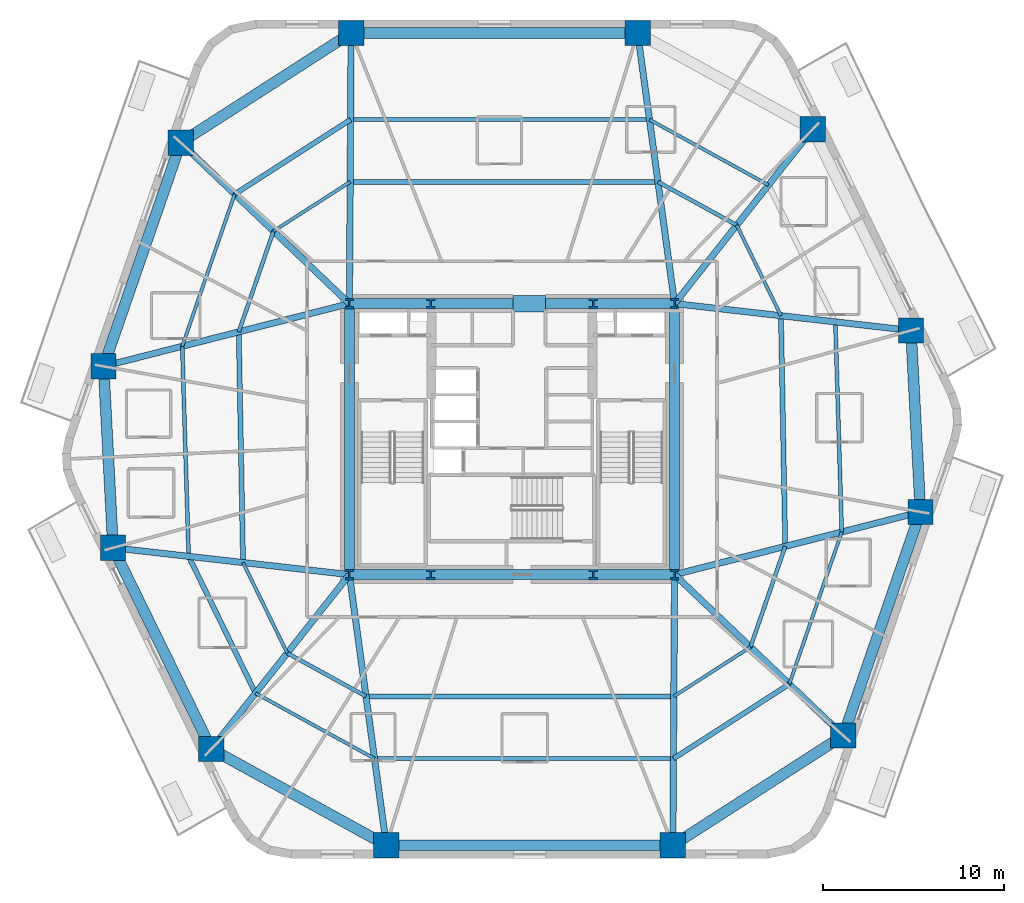
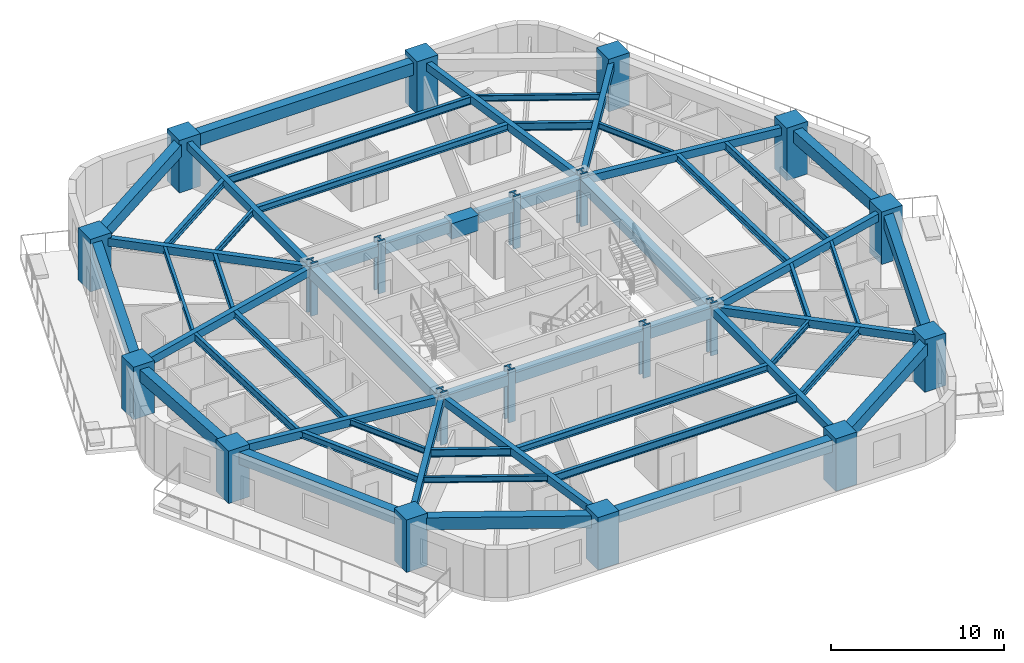
# One storey, part 1 of 10: 54 beams, 20 columns.
"""IFC4 building model written with IfcOpenShell, lengths in metres."""

from ifc_helpers import new_model, si_unit, direction, frame, origin, origin_2d, place, context, subcontext, project, spatial, rectangle, i_section, extrude, material, material_profile, profile_set, type_object, element, save


model = new_model("IFC4")

# Units and contexts
model_context = context("Model", 3, precision=1e-05, world=origin(), true_north=direction((0.0, 1.0)))
body_context = subcontext(model_context, "Body", "Model", "MODEL_VIEW")
ifc_project = project(units=[si_unit("LENGTHUNIT", "METRE"), si_unit("AREAUNIT", "SQUARE_METRE"), si_unit("VOLUMEUNIT", "CUBIC_METRE"), si_unit("PLANEANGLEUNIT", "RADIAN"), si_unit("MASSUNIT", "GRAM", prefix="KILO")], contexts=[model_context])

# Site, building, storey
site_placement = place(None, origin())
site = spatial("IfcSite", under=ifc_project, at=site_placement, CompositionType="ELEMENT")
building_placement = place(site_placement, origin())
building = spatial("IfcBuilding", under=site, at=building_placement, Name="Kilnhurst Terrace Hotel", CompositionType="ELEMENT")
storey_placement = place(building_placement, frame((0.0, 0.0, 82.300048828125)))
storey = spatial("IfcBuildingStorey", under=building, at=storey_placement, Name="L19", CompositionType="ELEMENT", Elevation=82.300048828125)

# Columns
ifc_material_1 = material(Name="Concrete C80/95", Category="concrete")
ifc_material_profile_1 = material_profile(ifc_material_1, rectangle(XDim=1.39990234375, YDim=1.39990234375, at=origin_2d()), Name="RC1400X1400")
ifc_profile_set_1 = profile_set([ifc_material_profile_1], Name="Concrete C80/95")
column_type_1 = type_object("IfcColumnType", Name="COL-RC-1400", PredefinedType="COLUMN", material=ifc_profile_set_1)
for number, where, z_axis, x_axis, name in (
    (1, (-6.955078125, -22.47998046875, 0.0), (0.0, 0.0, 1.0), (1.0, 0.0, 0.0), "L19 Structural Column PC-F11"),
    (2, (8.905029296875, -22.47998046875, 0.0), (0.0, 0.0, 1.0), (1.0, 0.0, 0.0), "L19 Structural Column PC-F12"),
    (3, (18.337890625, -16.410888671875, 0.0), (0.0, 0.0, 1.0), (1.0, 0.0, 0.0), "L19 Structural Column PC-F21"),
    (4, (22.60888671875, -4.029052734375, 0.0), (0.0, 0.0, 1.0), (1.0, 0.0, 0.0), "L19 Structural Column PC-F22"),
    (5, (22.083984375, 6.013916015625, 0.0), (0.0, 0.0, 1.0), (1.0, 0.0, 0.0), "L19 Structural Column PC-F31"),
    (6, (16.64306640625, 17.152099609375, 0.0), (0.0, 0.0, 1.0), (1.0, 0.0, 0.0), "L19 Structural Column PC-F32"),
    (7, (6.955078125, 22.47998046875, 0.0), (0.0, 0.0, 1.0), (1.0, 0.0, 0.0), "L19 Structural Column PC-F41"),
    (8, (-8.905029296875, 22.47998046875, 0.0), (0.0, 0.0, 1.0), (1.0, 0.0, 0.0), "L19 Structural Column PC-F42"),
    (9, (-18.337890625, 16.410888671875, 0.0), (0.0, 0.0, 1.0), (1.0, 0.0, 0.0), "L19 Structural Column PC-F51"),
    (10, (-22.60888671875, 4.029052734375, 0.0), (0.0, 0.0, 1.0), (1.0, 0.0, 0.0), "L19 Structural Column PC-F52"),
    (11, (-22.083984375, -6.013916015625, 0.0), (0.0, 0.0, 1.0), (1.0, 0.0, 0.0), "L19 Structural Column PC-F61"),
    (12, (-16.64306640625, -17.152099609375, 0.0), (0.0, 0.0, 1.0), (1.0, 0.0, 0.0), "L19 Structural Column PC-F62"),
):
    element("IfcColumn", number, at=place(storey_placement, frame(where, z_axis=z_axis, x_axis=x_axis)), inside=storey, type_object=column_type_1, Name=name, PredefinedType="COLUMN", context=body_context, shape_type="SweptSolid", body=[
        extrude(rectangle(XDim=1.39990234375, YDim=1.39990234375, at=origin_2d()), origin(), (0.0, 0.0, 1.0), 3.699951171875),
    ])
ifc_material_2 = material(Name="Steel ASTM A992 Grade 50", Category="steel")
ifc_material_profile_2 = material_profile(ifc_material_2, i_section(OverallWidth=0.454345703125, OverallDepth=0.569091796875, WebThickness=0.077880859375, FlangeThickness=0.124755859375, at=origin_2d()), Name="W14X730")
ifc_profile_set_2 = profile_set([ifc_material_profile_2], Name="Steel ASTM A992 Grade 50")
column_type_2 = type_object("IfcColumnType", Name="COL-STL-W14X730", PredefinedType="COLUMN", material=ifc_profile_set_2)
for number, where, z_axis, x_axis, name in (
    (13, (-9.0, -7.5, 0.0), (0.0, 0.0, 1.0), (1.0, 0.0, 0.0), "L19 Structural Column CC-SW"),
    (14, (-4.5, -7.5, 0.0), (0.0, 0.0, 1.0), (1.0, 0.0, 0.0), "L19 Structural Column CC-SC1"),
    (15, (4.5, -7.5, 0.0), (0.0, 0.0, 1.0), (1.0, 0.0, 0.0), "L19 Structural Column CC-SC2"),
    (16, (9.0, -7.5, 0.0), (0.0, 0.0, 1.0), (1.0, 0.0, 0.0), "L19 Structural Column CC-SE"),
    (17, (9.0, 7.5, 0.0), (0.0, 0.0, 1.0), (1.0, 0.0, 0.0), "L19 Structural Column CC-NE"),
    (18, (4.5, 7.5, 0.0), (0.0, 0.0, 1.0), (1.0, 0.0, 0.0), "L19 Structural Column CC-NC2"),
    (19, (-4.5, 7.5, 0.0), (0.0, 0.0, 1.0), (1.0, 0.0, 0.0), "L19 Structural Column CC-NC1"),
    (20, (-9.0, 7.5, 0.0), (0.0, 0.0, 1.0), (1.0, 0.0, 0.0), "L19 Structural Column CC-NW"),
):
    element("IfcColumn", number, at=place(storey_placement, frame(where, z_axis=z_axis, x_axis=x_axis)), inside=storey, type_object=column_type_2, Name=name, PredefinedType="COLUMN", context=body_context, shape_type="SweptSolid", body=[
        extrude(i_section(OverallWidth=0.454345703125, OverallDepth=0.569091796875, WebThickness=0.077880859375, FlangeThickness=0.124755859375, at=origin_2d()), origin(), (0.0, 0.0, 1.0), 3.699951171875),
    ])

# Beams
ifc_material_3 = material(Name="Concrete C50/60", Category="concrete")
ifc_material_profile_3 = material_profile(ifc_material_3, rectangle(XDim=0.35009765625, YDim=0.550048828125, at=origin_2d()), Name="RC350X550")
ifc_profile_set_3 = profile_set([ifc_material_profile_3], Name="Concrete C50/60")
beam_type_1 = type_object("IfcBeamType", Name="BM-RAD-350X550", PredefinedType="BEAM", material=ifc_profile_set_3)
beam_1_placement = place(storey_placement, frame((-9.0, -7.5, 3.10498046875), z_axis=(0.13525588246, -0.990810701527, 0.0), x_axis=(0.990810701527, 0.13525588246, 0.0)))
element("IfcBeam", 21, at=beam_1_placement, inside=storey, type_object=beam_type_1, Name="L19 Radial Floor Beam 1", PredefinedType="BEAM", context=body_context, shape_type="SweptSolid", body=[
    extrude(rectangle(XDim=0.35009765625, YDim=0.550048828125, at=origin_2d()), origin(), (0.0, 0.0, 1.0), 15.118896484375),
])
beam_2_placement = place(storey_placement, frame((9.0, -7.5, 3.10498046875), z_axis=(-0.006339714179, -0.99997990381, 0.0), x_axis=(0.99997990381, -0.006339714179, 0.0)))
element("IfcBeam", 22, at=beam_2_placement, inside=storey, type_object=beam_type_1, Name="L19 Radial Floor Beam 2", PredefinedType="BEAM", context=body_context, shape_type="SweptSolid", body=[
    extrude(rectangle(XDim=0.35009765625, YDim=0.550048828125, at=origin_2d()), origin(), (0.0, 0.0, 1.0), 14.980224609375),
])
beam_3_placement = place(storey_placement, frame((9.0, -7.5, 3.10498046875), z_axis=(0.723454302813, -0.690372270403, 0.0), x_axis=(0.690372270403, 0.723454302813, 0.0)))
element("IfcBeam", 23, at=beam_3_placement, inside=storey, type_object=beam_type_1, Name="L19 Radial Floor Beam 3", PredefinedType="BEAM", context=body_context, shape_type="SweptSolid", body=[
    extrude(rectangle(XDim=0.35009765625, YDim=0.550048828125, at=origin_2d()), origin(), (0.0, 0.0, 1.0), 12.907470703125),
])
beam_4_placement = place(storey_placement, frame((9.0, -7.5, 3.10498046875), z_axis=(0.968980179812, 0.247138445273, 0.0), x_axis=(-0.247138445273, 0.968980179812, 0.0)))
element("IfcBeam", 24, at=beam_4_placement, inside=storey, type_object=beam_type_1, Name="L19 Radial Floor Beam 4", PredefinedType="BEAM", context=body_context, shape_type="SweptSolid", body=[
    extrude(rectangle(XDim=0.35009765625, YDim=0.550048828125, at=origin_2d()), origin(), (0.0, 0.0, 1.0), 14.04443359375),
])
beam_5_placement = place(storey_placement, frame((9.0, 7.5, 3.10498046875), z_axis=(0.993611493249, -0.112854776075, 0.0), x_axis=(0.112854776075, 0.993611493249, 0.0)))
element("IfcBeam", 25, at=beam_5_placement, inside=storey, type_object=beam_type_1, Name="L19 Radial Floor Beam 5", PredefinedType="BEAM", context=body_context, shape_type="SweptSolid", body=[
    extrude(rectangle(XDim=0.35009765625, YDim=0.550048828125, at=origin_2d()), origin(), (0.0, 0.0, 1.0), 13.168212890625),
])
beam_6_placement = place(storey_placement, frame((9.0, 7.5, 3.10498046875), z_axis=(0.62079385707, 0.783973843329, 0.0), x_axis=(-0.783973843329, 0.62079385707, 0.0)))
element("IfcBeam", 26, at=beam_6_placement, inside=storey, type_object=beam_type_1, Name="L19 Radial Floor Beam 6", PredefinedType="BEAM", context=body_context, shape_type="SweptSolid", body=[
    extrude(rectangle(XDim=0.35009765625, YDim=0.550048828125, at=origin_2d()), origin(), (0.0, 0.0, 1.0), 12.311767578125),
])
beam_7_placement = place(storey_placement, frame((9.0, 7.5, 3.10498046875), z_axis=(-0.13525588246, 0.990810701527, 0.0), x_axis=(-0.990810701527, -0.13525588246, 0.0)))
element("IfcBeam", 27, at=beam_7_placement, inside=storey, type_object=beam_type_1, Name="L19 Radial Floor Beam 7", PredefinedType="BEAM", context=body_context, shape_type="SweptSolid", body=[
    extrude(rectangle(XDim=0.35009765625, YDim=0.550048828125, at=origin_2d()), origin(), (0.0, 0.0, 1.0), 15.118896484375),
])
beam_8_placement = place(storey_placement, frame((-9.0, 7.5, 3.10498046875), z_axis=(0.006339714179, 0.99997990381, 0.0), x_axis=(-0.99997990381, 0.006339714179, 0.0)))
element("IfcBeam", 28, at=beam_8_placement, inside=storey, type_object=beam_type_1, Name="L19 Radial Floor Beam 8", PredefinedType="BEAM", context=body_context, shape_type="SweptSolid", body=[
    extrude(rectangle(XDim=0.35009765625, YDim=0.550048828125, at=origin_2d()), origin(), (0.0, 0.0, 1.0), 14.980224609375),
])
beam_9_placement = place(storey_placement, frame((-9.0, 7.5, 3.10498046875), z_axis=(-0.723454302813, 0.690372270403, 0.0), x_axis=(-0.690372270403, -0.723454302813, 0.0)))
element("IfcBeam", 29, at=beam_9_placement, inside=storey, type_object=beam_type_1, Name="L19 Radial Floor Beam 9", PredefinedType="BEAM", context=body_context, shape_type="SweptSolid", body=[
    extrude(rectangle(XDim=0.35009765625, YDim=0.550048828125, at=origin_2d()), origin(), (0.0, 0.0, 1.0), 12.907470703125),
])
beam_10_placement = place(storey_placement, frame((-9.0, 7.5, 3.10498046875), z_axis=(-0.968980179812, -0.247138445273, 0.0), x_axis=(0.247138445273, -0.968980179812, 0.0)))
element("IfcBeam", 30, at=beam_10_placement, inside=storey, type_object=beam_type_1, Name="L19 Radial Floor Beam 10", PredefinedType="BEAM", context=body_context, shape_type="SweptSolid", body=[
    extrude(rectangle(XDim=0.35009765625, YDim=0.550048828125, at=origin_2d()), origin(), (0.0, 0.0, 1.0), 14.04443359375),
])
beam_11_placement = place(storey_placement, frame((-9.0, -7.5, 3.10498046875), z_axis=(-0.993611493249, 0.112854776075, 0.0), x_axis=(-0.112854776075, -0.993611493249, 0.0)))
element("IfcBeam", 31, at=beam_11_placement, inside=storey, type_object=beam_type_1, Name="L19 Radial Floor Beam 11", PredefinedType="BEAM", context=body_context, shape_type="SweptSolid", body=[
    extrude(rectangle(XDim=0.35009765625, YDim=0.550048828125, at=origin_2d()), origin(), (0.0, 0.0, 1.0), 13.168212890625),
])
beam_12_placement = place(storey_placement, frame((-9.0, -7.5, 3.10498046875), z_axis=(-0.62079385707, -0.783973843329, 0.0), x_axis=(0.783973843329, -0.62079385707, 0.0)))
element("IfcBeam", 32, at=beam_12_placement, inside=storey, type_object=beam_type_1, Name="L19 Radial Floor Beam 12", PredefinedType="BEAM", context=body_context, shape_type="SweptSolid", body=[
    extrude(rectangle(XDim=0.35009765625, YDim=0.550048828125, at=origin_2d()), origin(), (0.0, 0.0, 1.0), 12.311767578125),
])
ifc_material_profile_4 = material_profile(ifc_material_3, rectangle(XDim=0.550048828125, YDim=0.75, at=origin_2d()), Name="RC550X750")
ifc_profile_set_4 = profile_set([ifc_material_profile_4], Name="Concrete C50/60")
beam_type_2 = type_object("IfcBeamType", Name="BM-SPN-550X750", PredefinedType="SPANDREL", material=ifc_profile_set_4)
beam_13_placement = place(storey_placement, frame((-9.0, 7.5, 3.0048828125), z_axis=(1.0, 0.0, 0.0), x_axis=(0.0, 1.0, 0.0)))
element("IfcBeam", 33, at=beam_13_placement, inside=storey, type_object=beam_type_2, Name="L19 Core Tie Beam CC-NW to CC-NC1", PredefinedType="SPANDREL", context=body_context, shape_type="SweptSolid", body=[
    extrude(rectangle(XDim=0.550048828125, YDim=0.75, at=origin_2d()), origin(), (0.0, 0.0, 1.0), 4.5),
])
beam_14_placement = place(storey_placement, frame((-4.5, 7.5, 3.0048828125), z_axis=(1.0, 0.0, 0.0), x_axis=(0.0, 1.0, 0.0)))
element("IfcBeam", 34, at=beam_14_placement, inside=storey, type_object=beam_type_2, Name="L19 Core Tie Beam CC-NC1 to CC-NC2", PredefinedType="SPANDREL", context=body_context, shape_type="SweptSolid", body=[
    extrude(rectangle(XDim=0.550048828125, YDim=0.75, at=origin_2d()), origin(), (0.0, 0.0, 1.0), 9.0),
])
for number, where, z_axis, x_axis, name in (
    (35, (4.5, 7.5, 3.0048828125), (1.0, 0.0, 0.0), (0.0, 1.0, 0.0), "L19 Core Tie Beam CC-NC2 to CC-NE"),
    (36, (-9.0, -7.5, 3.0048828125), (1.0, 0.0, 0.0), (0.0, 1.0, 0.0), "L19 Core Tie Beam CC-SW to CC-SC1"),
):
    element("IfcBeam", number, at=place(storey_placement, frame(where, z_axis=z_axis, x_axis=x_axis)), inside=storey, type_object=beam_type_2, Name=name, PredefinedType="SPANDREL", context=body_context, shape_type="SweptSolid", body=[
        extrude(rectangle(XDim=0.550048828125, YDim=0.75, at=origin_2d()), origin(), (0.0, 0.0, 1.0), 4.5),
    ])
beam_15_placement = place(storey_placement, frame((-4.5, -7.5, 3.0048828125), z_axis=(1.0, 0.0, 0.0), x_axis=(0.0, 1.0, 0.0)))
element("IfcBeam", 37, at=beam_15_placement, inside=storey, type_object=beam_type_2, Name="L19 Core Tie Beam CC-SC1 to CC-SC2", PredefinedType="SPANDREL", context=body_context, shape_type="SweptSolid", body=[
    extrude(rectangle(XDim=0.550048828125, YDim=0.75, at=origin_2d()), origin(), (0.0, 0.0, 1.0), 9.0),
])
beam_16_placement = place(storey_placement, frame((4.5, -7.5, 3.0048828125), z_axis=(1.0, 0.0, 0.0), x_axis=(0.0, 1.0, 0.0)))
element("IfcBeam", 38, at=beam_16_placement, inside=storey, type_object=beam_type_2, Name="L19 Core Tie Beam CC-SC2 to CC-SE", PredefinedType="SPANDREL", context=body_context, shape_type="SweptSolid", body=[
    extrude(rectangle(XDim=0.550048828125, YDim=0.75, at=origin_2d()), origin(), (0.0, 0.0, 1.0), 4.5),
])
for number, where, z_axis, x_axis, name in (
    (39, (-9.0, -7.5, 3.0048828125), (0.0, 1.0, 0.0), (-1.0, 0.0, 0.0), "L19 Core Tie Beam CC-SW to CC-NW"),
    (40, (9.0, -7.5, 3.0048828125), (0.0, 1.0, 0.0), (-1.0, 0.0, 0.0), "L19 Core Tie Beam CC-SE to CC-NE"),
):
    element("IfcBeam", number, at=place(storey_placement, frame(where, z_axis=z_axis, x_axis=x_axis)), inside=storey, type_object=beam_type_2, Name=name, PredefinedType="SPANDREL", context=body_context, shape_type="SweptSolid", body=[
        extrude(rectangle(XDim=0.550048828125, YDim=0.75, at=origin_2d()), origin(), (0.0, 0.0, 1.0), 15.0),
    ])
ifc_material_profile_5 = material_profile(ifc_material_3, rectangle(XDim=0.60009765625, YDim=0.85009765625, at=origin_2d()), Name="RC600X850")
ifc_profile_set_5 = profile_set([ifc_material_profile_5], Name="Concrete C50/60")
beam_type_3 = type_object("IfcBeamType", Name="BM-SPN-600X850", PredefinedType="SPANDREL", material=ifc_profile_set_5)
beam_17_placement = place(storey_placement, frame((-6.955078125, -22.47998046875, 2.954833984375), z_axis=(1.0, 0.0, 0.0), x_axis=(0.0, 1.0, 0.0)))
element("IfcBeam", 41, at=beam_17_placement, inside=storey, type_object=beam_type_3, Name="L19 Perimeter Spandrel Beam 1", PredefinedType="SPANDREL", context=body_context, shape_type="SweptSolid", body=[
    extrude(rectangle(XDim=0.60009765625, YDim=0.85009765625, at=origin_2d()), origin(), (0.0, 0.0, 1.0), 15.860107421875),
])
beam_18_placement = place(storey_placement, frame((8.905029296875, -22.47998046875, 2.954833984375), z_axis=(0.840971204873, 0.541079876335, 0.0), x_axis=(-0.541079876335, 0.840971204873, 0.0)))
element("IfcBeam", 42, at=beam_18_placement, inside=storey, type_object=beam_type_3, Name="L19 Perimeter Spandrel Beam 2", PredefinedType="SPANDREL", context=body_context, shape_type="SweptSolid", body=[
    extrude(rectangle(XDim=0.60009765625, YDim=0.85009765625, at=origin_2d()), origin(), (0.0, 0.0, 1.0), 11.216552734375),
])
beam_19_placement = place(storey_placement, frame((18.337890625, -16.410888671875, 2.954833984375), z_axis=(0.326086040191, 0.945340094565, 0.0), x_axis=(-0.945340094565, 0.326086040191, 0.0)))
element("IfcBeam", 43, at=beam_19_placement, inside=storey, type_object=beam_type_3, Name="L19 Perimeter Spandrel Beam 3", PredefinedType="SPANDREL", context=body_context, shape_type="SweptSolid", body=[
    extrude(rectangle(XDim=0.60009765625, YDim=0.85009765625, at=origin_2d()), origin(), (0.0, 0.0, 1.0), 13.09765625),
])
beam_20_placement = place(storey_placement, frame((22.60888671875, -4.029052734375, 2.954833984375), z_axis=(-0.052194414298, 0.998636942595, 0.0), x_axis=(-0.998636942595, -0.052194414298, 0.0)))
element("IfcBeam", 44, at=beam_20_placement, inside=storey, type_object=beam_type_3, Name="L19 Perimeter Spandrel Beam 4", PredefinedType="SPANDREL", context=body_context, shape_type="SweptSolid", body=[
    extrude(rectangle(XDim=0.60009765625, YDim=0.85009765625, at=origin_2d()), origin(), (0.0, 0.0, 1.0), 10.056640625),
])
beam_21_placement = place(storey_placement, frame((6.955078125, 22.47998046875, 2.954833984375), z_axis=(-1.0, 0.0, 0.0), x_axis=(0.0, -1.0, 0.0)))
element("IfcBeam", 45, at=beam_21_placement, inside=storey, type_object=beam_type_3, Name="L19 Perimeter Spandrel Beam 7", PredefinedType="SPANDREL", context=body_context, shape_type="SweptSolid", body=[
    extrude(rectangle(XDim=0.60009765625, YDim=0.85009765625, at=origin_2d()), origin(), (0.0, 0.0, 1.0), 15.860107421875),
])
beam_22_placement = place(storey_placement, frame((-8.905029296875, 22.47998046875, 2.954833984375), z_axis=(-0.840971204873, -0.541079876335, 0.0), x_axis=(0.541079876335, -0.840971204873, 0.0)))
element("IfcBeam", 46, at=beam_22_placement, inside=storey, type_object=beam_type_3, Name="L19 Perimeter Spandrel Beam 8", PredefinedType="SPANDREL", context=body_context, shape_type="SweptSolid", body=[
    extrude(rectangle(XDim=0.60009765625, YDim=0.85009765625, at=origin_2d()), origin(), (0.0, 0.0, 1.0), 11.216552734375),
])
beam_23_placement = place(storey_placement, frame((-18.337890625, 16.410888671875, 2.954833984375), z_axis=(-0.326086040191, -0.945340094565, 0.0), x_axis=(0.945340094565, -0.326086040191, 0.0)))
element("IfcBeam", 47, at=beam_23_placement, inside=storey, type_object=beam_type_3, Name="L19 Perimeter Spandrel Beam 9", PredefinedType="SPANDREL", context=body_context, shape_type="SweptSolid", body=[
    extrude(rectangle(XDim=0.60009765625, YDim=0.85009765625, at=origin_2d()), origin(), (0.0, 0.0, 1.0), 13.09765625),
])
beam_24_placement = place(storey_placement, frame((-22.60888671875, 4.029052734375, 2.954833984375), z_axis=(0.052194414298, -0.998636942595, 0.0), x_axis=(0.998636942595, 0.052194414298, 0.0)))
element("IfcBeam", 48, at=beam_24_placement, inside=storey, type_object=beam_type_3, Name="L19 Perimeter Spandrel Beam 10", PredefinedType="SPANDREL", context=body_context, shape_type="SweptSolid", body=[
    extrude(rectangle(XDim=0.60009765625, YDim=0.85009765625, at=origin_2d()), origin(), (0.0, 0.0, 1.0), 10.056640625),
])
beam_25_placement = place(storey_placement, frame((-22.083984375, -6.013916015625, 2.954833984375), z_axis=(0.438922573627, -0.898524888003, 0.0), x_axis=(0.898524888003, 0.438922573627, 0.0)))
element("IfcBeam", 49, at=beam_25_placement, inside=storey, type_object=beam_type_3, Name="L19 Perimeter Spandrel Beam 11", PredefinedType="SPANDREL", context=body_context, shape_type="SweptSolid", body=[
    extrude(rectangle(XDim=0.60009765625, YDim=0.85009765625, at=origin_2d()), origin(), (0.0, 0.0, 1.0), 12.39599609375),
])
beam_26_placement = place(storey_placement, frame((-16.64306640625, -17.152099609375, 2.954833984375), z_axis=(0.876235488803, -0.481883147829, 0.0), x_axis=(0.481883147829, 0.876235488803, 0.0)))
element("IfcBeam", 50, at=beam_26_placement, inside=storey, type_object=beam_type_3, Name="L19 Perimeter Spandrel Beam 12", PredefinedType="SPANDREL", context=body_context, shape_type="SweptSolid", body=[
    extrude(rectangle(XDim=0.60009765625, YDim=0.85009765625, at=origin_2d()), origin(), (0.0, 0.0, 1.0), 11.056396484375),
])
ifc_material_profile_6 = material_profile(ifc_material_2, i_section(OverallWidth=0.180908203125, OverallDepth=0.417236328125, WebThickness=0.010986328125, FlangeThickness=0.018310546875, at=origin_2d()), Name="W16X57")
ifc_profile_set_6 = profile_set([ifc_material_profile_6], Name="Steel ASTM A992 Grade 50")
beam_type_4 = type_object("IfcBeamType", Name="JST-STL-W16X57", PredefinedType="JOIST", material=ifc_profile_set_6)
beam_27_placement = place(storey_placement, frame((15.349853515625, -13.5595703125, 3.1708984375), z_axis=(0.326078536201, 0.945342682961, 0.0), x_axis=(-0.945342682961, 0.326078536201, 0.0)))
element("IfcBeam", 51, at=beam_27_placement, inside=storey, type_object=beam_type_4, Name="L19 Secondary Floor Steel Joist OUT.3", PredefinedType="JOIST", context=body_context, shape_type="SweptSolid", body=[
    extrude(i_section(OverallWidth=0.180908203125, OverallDepth=0.417236328125, WebThickness=0.010986328125, FlangeThickness=0.018310546875, at=origin_2d()), origin(), (0.0, 0.0, 1.0), 8.90673828125),
])
beam_28_placement = place(storey_placement, frame((14.197265625, 14.0634765625, 3.1708984375), z_axis=(-0.876246073632, 0.481863900334, 0.0), x_axis=(-0.481863900334, -0.876246073632, 0.0)))
element("IfcBeam", 52, at=beam_28_placement, inside=storey, type_object=beam_type_4, Name="L19 Secondary Floor Steel Joist OUT.6", PredefinedType="JOIST", context=body_context, shape_type="SweptSolid", body=[
    extrude(i_section(OverallWidth=0.180908203125, OverallDepth=0.417236328125, WebThickness=0.010986328125, FlangeThickness=0.018310546875, at=origin_2d()), origin(), (0.0, 0.0, 1.0), 7.518310546875),
])
beam_29_placement = place(storey_placement, frame((-15.349853515625, 13.5595703125, 3.1708984375), z_axis=(-0.326078536201, -0.945342682961, 0.0), x_axis=(0.945342682961, -0.326078536201, 0.0)))
element("IfcBeam", 53, at=beam_29_placement, inside=storey, type_object=beam_type_4, Name="L19 Secondary Floor Steel Joist OUT.9", PredefinedType="JOIST", context=body_context, shape_type="SweptSolid", body=[
    extrude(i_section(OverallWidth=0.180908203125, OverallDepth=0.417236328125, WebThickness=0.010986328125, FlangeThickness=0.018310546875, at=origin_2d()), origin(), (0.0, 0.0, 1.0), 8.90673828125),
])
beam_30_placement = place(storey_placement, frame((-14.197265625, -14.0634765625, 3.1708984375), z_axis=(0.876246073632, -0.481863900334, 0.0), x_axis=(0.481863900334, 0.876246073632, 0.0)))
element("IfcBeam", 54, at=beam_30_placement, inside=storey, type_object=beam_type_4, Name="L19 Secondary Floor Steel Joist OUT.12", PredefinedType="JOIST", context=body_context, shape_type="SweptSolid", body=[
    extrude(i_section(OverallWidth=0.180908203125, OverallDepth=0.417236328125, WebThickness=0.010986328125, FlangeThickness=0.018310546875, at=origin_2d()), origin(), (0.0, 0.0, 1.0), 7.518310546875),
])
beam_31_placement = place(storey_placement, frame((8.957275390625, -14.240966796875, 3.1708984375), z_axis=(0.840988265896, 0.541053358389, 0.0), x_axis=(-0.541053358389, 0.840988265896, 0.0)))
element("IfcBeam", 55, at=beam_31_placement, inside=storey, type_object=beam_type_4, Name="L19 Secondary Floor Steel Joist IN.2", PredefinedType="JOIST", context=body_context, shape_type="SweptSolid", body=[
    extrude(i_section(OverallWidth=0.180908203125, OverallDepth=0.417236328125, WebThickness=0.010986328125, FlangeThickness=0.018310546875, at=origin_2d()), origin(), (0.0, 0.0, 1.0), 5.04736328125),
])
beam_32_placement = place(storey_placement, frame((14.8876953125, 6.831298828125, 3.1708984375), z_axis=(-0.438896112695, 0.898537813484, 0.0), x_axis=(-0.898537813484, -0.438896112695, 0.0)))
element("IfcBeam", 56, at=beam_32_placement, inside=storey, type_object=beam_type_4, Name="L19 Secondary Floor Steel Joist IN.5", PredefinedType="JOIST", context=body_context, shape_type="SweptSolid", body=[
    extrude(i_section(OverallWidth=0.180908203125, OverallDepth=0.417236328125, WebThickness=0.010986328125, FlangeThickness=0.018310546875, at=origin_2d()), origin(), (0.0, 0.0, 1.0), 5.578125),
])
beam_33_placement = place(storey_placement, frame((-8.957275390625, 14.240966796875, 3.1708984375), z_axis=(-0.840988265896, -0.541053358389, 0.0), x_axis=(0.541053358389, -0.840988265896, 0.0)))
element("IfcBeam", 57, at=beam_33_placement, inside=storey, type_object=beam_type_4, Name="L19 Secondary Floor Steel Joist IN.8", PredefinedType="JOIST", context=body_context, shape_type="SweptSolid", body=[
    extrude(i_section(OverallWidth=0.180908203125, OverallDepth=0.417236328125, WebThickness=0.010986328125, FlangeThickness=0.018310546875, at=origin_2d()), origin(), (0.0, 0.0, 1.0), 5.04736328125),
])
beam_34_placement = place(storey_placement, frame((-14.8876953125, -6.831298828125, 3.1708984375), z_axis=(0.438896112695, -0.898537813484, 0.0), x_axis=(0.898537813484, 0.438896112695, 0.0)))
element("IfcBeam", 58, at=beam_34_placement, inside=storey, type_object=beam_type_4, Name="L19 Secondary Floor Steel Joist IN.11", PredefinedType="JOIST", context=body_context, shape_type="SweptSolid", body=[
    extrude(i_section(OverallWidth=0.180908203125, OverallDepth=0.417236328125, WebThickness=0.010986328125, FlangeThickness=0.018310546875, at=origin_2d()), origin(), (0.0, 0.0, 1.0), 5.578125),
])
ifc_material_profile_7 = material_profile(ifc_material_2, i_section(OverallWidth=0.279296875, OverallDepth=0.462890625, WebThickness=0.0107421875, FlangeThickness=0.017333984375, at=origin_2d()), Name="W18X76")
ifc_profile_set_7 = profile_set([ifc_material_profile_7], Name="Steel ASTM A992 Grade 50")
beam_type_5 = type_object("IfcBeamType", Name="JST-STL-W18X76", PredefinedType="JOIST", material=ifc_profile_set_7)
for number, where, z_axis, x_axis, name in (
    (59, (8.935302734375, -17.686279296875, 3.14794921875), (0.840995388529, 0.54104228714, 0.0), (-0.54104228714, 0.840995388529, 0.0), "L19 Secondary Floor Steel Joist OUT.2"),
    (60, (-8.935302734375, 17.686279296875, 3.14794921875), (-0.840995388529, -0.54104228714, 0.0), (0.54104228714, -0.840995388529, 0.0), "L19 Secondary Floor Steel Joist OUT.8"),
):
    element("IfcBeam", number, at=place(storey_placement, frame(where, z_axis=z_axis, x_axis=x_axis)), inside=storey, type_object=beam_type_5, Name=name, PredefinedType="JOIST", context=body_context, shape_type="SweptSolid", body=[
        extrude(i_section(OverallWidth=0.279296875, OverallDepth=0.462890625, WebThickness=0.0107421875, FlangeThickness=0.017333984375, at=origin_2d()), origin(), (0.0, 0.0, 1.0), 7.62744140625),
    ])
beam_35_placement = place(storey_placement, frame((-17.897216796875, -6.489501953125, 3.14794921875), z_axis=(0.438934275949, -0.898519171413, 0.0), x_axis=(0.898519171413, 0.438934275949, 0.0)))
element("IfcBeam", 61, at=beam_35_placement, inside=storey, type_object=beam_type_5, Name="L19 Secondary Floor Steel Joist OUT.11", PredefinedType="JOIST", context=body_context, shape_type="SweptSolid", body=[
    extrude(i_section(OverallWidth=0.279296875, OverallDepth=0.462890625, WebThickness=0.0107421875, FlangeThickness=0.017333984375, at=origin_2d()), origin(), (0.0, 0.0, 1.0), 8.429443359375),
])
beam_36_placement = place(storey_placement, frame((-8.079833984375, -14.240966796875, 3.14794921875), z_axis=(1.0, 0.0, 0.0), x_axis=(0.0, 1.0, 0.0)))
element("IfcBeam", 62, at=beam_36_placement, inside=storey, type_object=beam_type_5, Name="L19 Secondary Floor Steel Joist IN.1", PredefinedType="JOIST", context=body_context, shape_type="SweptSolid", body=[
    extrude(i_section(OverallWidth=0.279296875, OverallDepth=0.462890625, WebThickness=0.0107421875, FlangeThickness=0.017333984375, at=origin_2d()), origin(), (0.0, 0.0, 1.0), 17.037109375),
])
beam_37_placement = place(storey_placement, frame((15.1240234375, -5.93798828125, 3.14794921875), z_axis=(-0.018504373716, 0.999828779418, 0.0), x_axis=(-0.999828779418, -0.018504373716, 0.0)))
element("IfcBeam", 63, at=beam_37_placement, inside=storey, type_object=beam_type_5, Name="L19 Secondary Floor Steel Joist IN.4", PredefinedType="JOIST", context=body_context, shape_type="SweptSolid", body=[
    extrude(i_section(OverallWidth=0.279296875, OverallDepth=0.462890625, WebThickness=0.0107421875, FlangeThickness=0.017333984375, at=origin_2d()), origin(), (0.0, 0.0, 1.0), 12.771484375),
])
beam_38_placement = place(storey_placement, frame((8.079833984375, 14.240966796875, 3.14794921875), z_axis=(-1.0, 0.0, 0.0), x_axis=(0.0, -1.0, 0.0)))
element("IfcBeam", 64, at=beam_38_placement, inside=storey, type_object=beam_type_5, Name="L19 Secondary Floor Steel Joist IN.7", PredefinedType="JOIST", context=body_context, shape_type="SweptSolid", body=[
    extrude(i_section(OverallWidth=0.279296875, OverallDepth=0.462890625, WebThickness=0.0107421875, FlangeThickness=0.017333984375, at=origin_2d()), origin(), (0.0, 0.0, 1.0), 17.037109375),
])
beam_39_placement = place(storey_placement, frame((-15.1240234375, 5.93798828125, 3.14794921875), z_axis=(0.018504373716, -0.999828779418, 0.0), x_axis=(0.999828779418, 0.018504373716, 0.0)))
element("IfcBeam", 65, at=beam_39_placement, inside=storey, type_object=beam_type_5, Name="L19 Secondary Floor Steel Joist IN.10", PredefinedType="JOIST", context=body_context, shape_type="SweptSolid", body=[
    extrude(i_section(OverallWidth=0.279296875, OverallDepth=0.462890625, WebThickness=0.0107421875, FlangeThickness=0.017333984375, at=origin_2d()), origin(), (0.0, 0.0, 1.0), 12.771484375),
])
ifc_material_profile_8 = material_profile(ifc_material_2, i_section(OverallWidth=0.2138671875, OverallDepth=0.549072265625, WebThickness=0.0146484375, FlangeThickness=0.023681640625, at=origin_2d()), Name="W21X93")
ifc_profile_set_8 = profile_set([ifc_material_profile_8], Name="Steel ASTM A992 Grade 50")
beam_type_6 = type_object("IfcBeamType", Name="JST-STL-W21X93", PredefinedType="JOIST", material=ifc_profile_set_8)
beam_40_placement = place(storey_placement, frame((-7.609375, -17.686279296875, 3.10498046875), z_axis=(1.0, 0.0, 0.0), x_axis=(0.0, 1.0, 0.0)))
element("IfcBeam", 66, at=beam_40_placement, inside=storey, type_object=beam_type_6, Name="L19 Secondary Floor Steel Joist OUT.1", PredefinedType="JOIST", context=body_context, shape_type="SweptSolid", body=[
    extrude(i_section(OverallWidth=0.2138671875, OverallDepth=0.549072265625, WebThickness=0.0146484375, FlangeThickness=0.023681640625, at=origin_2d()), origin(), (0.0, 0.0, 1.0), 16.544677734375),
])
beam_41_placement = place(storey_placement, frame((18.254150390625, -5.1396484375, 3.10498046875), z_axis=(-0.030678559818, 0.999529302206, 0.0), x_axis=(-0.999529302206, -0.030678559818, 0.0)))
element("IfcBeam", 67, at=beam_41_placement, inside=storey, type_object=beam_type_6, Name="L19 Secondary Floor Steel Joist OUT.4", PredefinedType="JOIST", context=body_context, shape_type="SweptSolid", body=[
    extrude(i_section(OverallWidth=0.2138671875, OverallDepth=0.549072265625, WebThickness=0.0146484375, FlangeThickness=0.023681640625, at=origin_2d()), origin(), (0.0, 0.0, 1.0), 11.634521484375),
])
beam_42_placement = place(storey_placement, frame((7.609375, 17.686279296875, 3.10498046875), z_axis=(-1.0, 0.0, 0.0), x_axis=(0.0, -1.0, 0.0)))
element("IfcBeam", 68, at=beam_42_placement, inside=storey, type_object=beam_type_6, Name="L19 Secondary Floor Steel Joist OUT.7", PredefinedType="JOIST", context=body_context, shape_type="SweptSolid", body=[
    extrude(i_section(OverallWidth=0.2138671875, OverallDepth=0.549072265625, WebThickness=0.0146484375, FlangeThickness=0.023681640625, at=origin_2d()), origin(), (0.0, 0.0, 1.0), 16.544677734375),
])
beam_43_placement = place(storey_placement, frame((-18.254150390625, 5.1396484375, 3.10498046875), z_axis=(0.030678559818, -0.999529302206, 0.0), x_axis=(0.999529302206, 0.030678559818, 0.0)))
element("IfcBeam", 69, at=beam_43_placement, inside=storey, type_object=beam_type_6, Name="L19 Secondary Floor Steel Joist OUT.10", PredefinedType="JOIST", context=body_context, shape_type="SweptSolid", body=[
    extrude(i_section(OverallWidth=0.2138671875, OverallDepth=0.549072265625, WebThickness=0.0146484375, FlangeThickness=0.023681640625, at=origin_2d()), origin(), (0.0, 0.0, 1.0), 11.634521484375),
])
beam_44_placement = place(storey_placement, frame((13.2021484375, -11.510009765625, 3.10498046875), z_axis=(0.326064720391, 0.945347448358, 0.0), x_axis=(-0.945347448358, 0.326064720391, 0.0)))
element("IfcBeam", 70, at=beam_44_placement, inside=storey, type_object=beam_type_6, Name="L19 Secondary Floor Steel Joist IN.3", PredefinedType="JOIST", context=body_context, shape_type="SweptSolid", body=[
    extrude(i_section(OverallWidth=0.2138671875, OverallDepth=0.549072265625, WebThickness=0.0146484375, FlangeThickness=0.023681640625, at=origin_2d()), origin(), (0.0, 0.0, 1.0), 5.89404296875),
])
beam_45_placement = place(storey_placement, frame((12.439453125, 11.843505859375, 3.10498046875), z_axis=(-0.876243879955, 0.481867889408, 0.0), x_axis=(-0.481867889408, -0.876243879955, 0.0)))
element("IfcBeam", 71, at=beam_45_placement, inside=storey, type_object=beam_type_6, Name="L19 Secondary Floor Steel Joist IN.6", PredefinedType="JOIST", context=body_context, shape_type="SweptSolid", body=[
    extrude(i_section(OverallWidth=0.2138671875, OverallDepth=0.549072265625, WebThickness=0.0146484375, FlangeThickness=0.023681640625, at=origin_2d()), origin(), (0.0, 0.0, 1.0), 4.975341796875),
])
beam_46_placement = place(storey_placement, frame((-13.2021484375, 11.510009765625, 3.10498046875), z_axis=(-0.326064720391, -0.945347448358, 0.0), x_axis=(0.945347448358, -0.326064720391, 0.0)))
element("IfcBeam", 72, at=beam_46_placement, inside=storey, type_object=beam_type_6, Name="L19 Secondary Floor Steel Joist IN.9", PredefinedType="JOIST", context=body_context, shape_type="SweptSolid", body=[
    extrude(i_section(OverallWidth=0.2138671875, OverallDepth=0.549072265625, WebThickness=0.0146484375, FlangeThickness=0.023681640625, at=origin_2d()), origin(), (0.0, 0.0, 1.0), 5.89404296875),
])
beam_47_placement = place(storey_placement, frame((-12.439453125, -11.843505859375, 3.10498046875), z_axis=(0.876243879955, -0.481867889408, 0.0), x_axis=(0.481867889408, 0.876243879955, 0.0)))
element("IfcBeam", 73, at=beam_47_placement, inside=storey, type_object=beam_type_6, Name="L19 Secondary Floor Steel Joist IN.12", PredefinedType="JOIST", context=body_context, shape_type="SweptSolid", body=[
    extrude(i_section(OverallWidth=0.2138671875, OverallDepth=0.549072265625, WebThickness=0.0146484375, FlangeThickness=0.023681640625, at=origin_2d()), origin(), (0.0, 0.0, 1.0), 4.975341796875),
])
ifc_material_profile_9 = material_profile(ifc_material_1, rectangle(XDim=0.89990234375, YDim=1.10009765625, at=origin_2d()), Name="RC900X1100")
ifc_profile_set_9 = profile_set([ifc_material_profile_9], Name="Concrete C80/95")
beam_type_7 = type_object("IfcBeamType", Name="LNT-CB-900X1100", PredefinedType="LINTEL", material=ifc_profile_set_9)
beam_48_placement = place(storey_placement, frame((0.050048828125, 7.5, 2.829833984375), z_axis=(1.0, 0.0, 0.0), x_axis=(0.0, 1.0, 0.0)))
element("IfcBeam", 74, at=beam_48_placement, inside=storey, type_object=beam_type_7, Name="L19 North Core Coupling Link Beam", PredefinedType="LINTEL", context=body_context, shape_type="SweptSolid", body=[
    extrude(rectangle(XDim=0.89990234375, YDim=1.10009765625, at=origin_2d()), origin(), (0.0, 0.0, 1.0), 1.800048828125),
])

save(model, "model.ifc")
